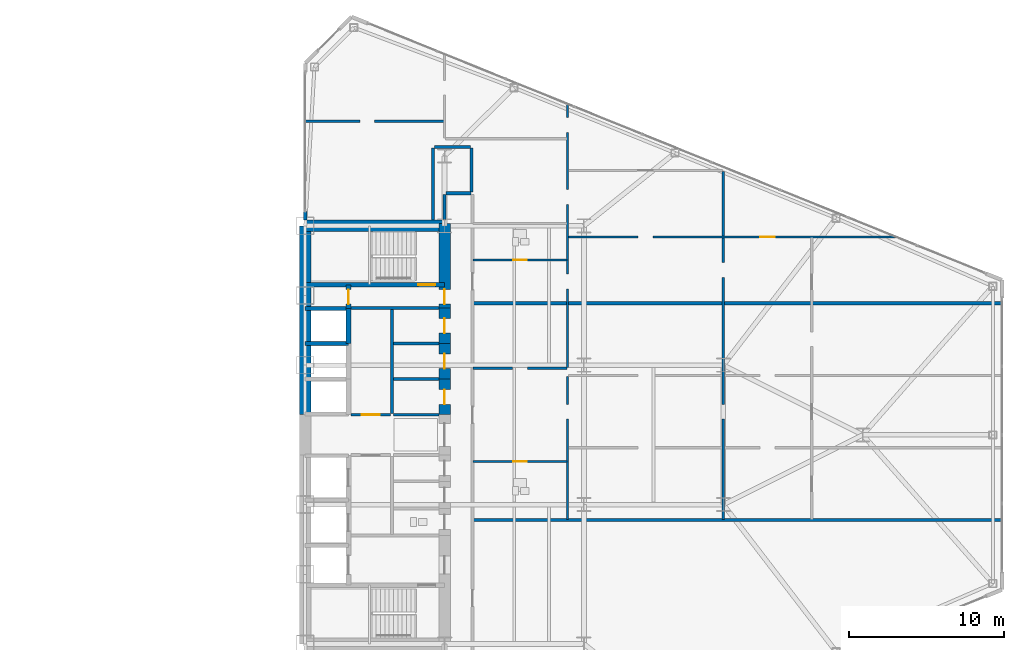
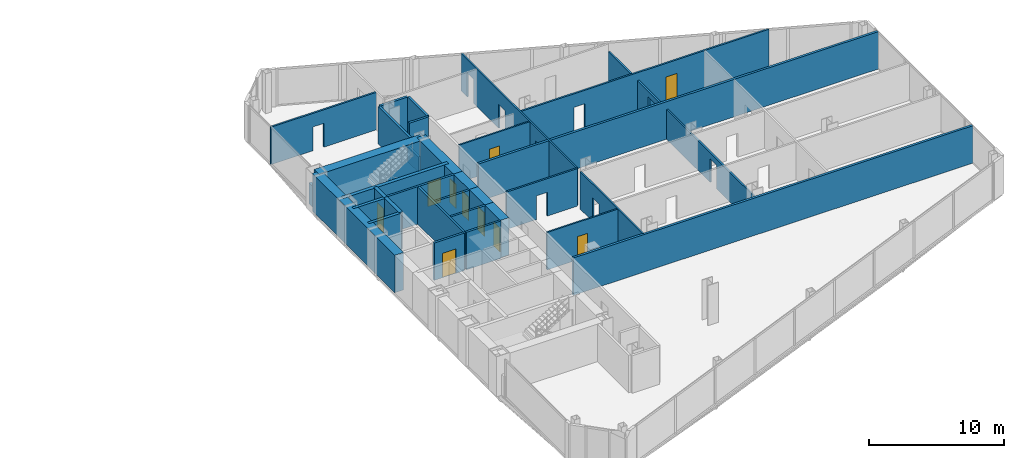
# One storey, part 21 of 25: 33 walls, 10 doors, 19 openings.
"""IFC4 building model written with IfcOpenShell, lengths in metres."""

from ifc_helpers import new_model, si_unit, direction, frame, frame_2d, origin, place, context, subcontext, project, spatial, rectangle, extrude, source, transform, mapped, material, layer, layer_set, type_object, type_shapes, element, fill, save


model = new_model("IFC4")

# Units and contexts
model_context = context("Model", 3, precision=1e-05, world=origin(), true_north=direction((0.0, 1.0)))
body_context = subcontext(model_context, "Body", "Model", "MODEL_VIEW")
ifc_project = project(units=[si_unit("LENGTHUNIT", "METRE"), si_unit("AREAUNIT", "SQUARE_METRE"), si_unit("VOLUMEUNIT", "CUBIC_METRE"), si_unit("PLANEANGLEUNIT", "RADIAN"), si_unit("MASSUNIT", "GRAM", prefix="KILO")], contexts=[model_context])

# Site, building, storey
site_placement = place(None, origin())
site = spatial("IfcSite", under=ifc_project, at=site_placement, CompositionType="ELEMENT")
building_placement = place(site_placement, origin())
building = spatial("IfcBuilding", under=site, at=building_placement, Name="Seokmaru Belvedere", CompositionType="ELEMENT")
storey_placement = place(building_placement, frame((0.0, 0.0, 58.5)))
storey = spatial("IfcBuildingStorey", under=building, at=storey_placement, Name="L15", CompositionType="ELEMENT", Elevation=58.5)

# Wall, opening
ifc_material_1 = material(Name="Fire-Rated Gypsum Shaftwall")
ifc_layer_1 = layer(ifc_material_1, 0.14990234375)
ifc_layer_set_1 = layer_set([ifc_layer_1], Name="Fire-Rated Gypsum Shaftwall")
wall_type_1 = type_object("IfcWallType", Name="Apartment Fire-Acoustic Room Partition 150", PredefinedType="PARTITIONING", material=ifc_layer_set_1)
wall_1_placement = place(storey_placement, frame((38.35009765625, 4.300048828125, 0.0), z_axis=(0.0, 0.0, 1.0), x_axis=(1.0, 0.0, 0.0)))
wall_1 = element("IfcWall", 1, at=wall_1_placement, inside=storey, type_object=wall_type_1, Name="L15 Interior Partition 019", PredefinedType="PARTITIONING", context=body_context, shape_type="SweptSolid", body=[
    extrude(rectangle(XDim=6.0498046875, YDim=0.14990234375, at=frame_2d((3.02490234375, 0.0))), origin(), (0.0, 0.0, 1.0), 3.3798828125),
])
opening_1_placement = place(wall_1_placement, frame((2.550048828125, 0.0, 0.0)))
element("IfcOpeningElement", 2, at=opening_1_placement, cuts=wall_1, Name="L15 Cased Opening 038", PredefinedType="OPENING", context=body_context, shape_type="SweptSolid", body=[
    extrude(rectangle(XDim=0.949951171875, YDim=2.14990234375, at=frame_2d((0.47509765625, 1.074951171875))), frame((0.0, 0.0849609375, 0.0), z_axis=(0.0, -1.0, 0.0), x_axis=(1.0, 0.0, 0.0)), (0.0, 0.0, 1.0), 0.169921875),
])

# Wall, openings, door
wall_2_placement = place(storey_placement, frame((44.5, 12.780029296875, 0.0), z_axis=(0.0, 0.0, 1.0), x_axis=(1.0, 0.0, 0.0)))
wall_2 = element("IfcWall", 3, at=wall_2_placement, inside=storey, type_object=wall_type_1, Name="L15 Interior Partition 027", PredefinedType="PARTITIONING", context=body_context, shape_type="SweptSolid", body=[
    extrude(rectangle(XDim=21.156005859375, YDim=0.14990234375, at=frame_2d((10.578125, 0.0))), origin(), (0.0, 0.0, 1.0), 3.3798828125),
])
opening_2_placement = place(wall_2_placement, frame((4.5, 0.0, 0.0)))
element("IfcOpeningElement", 4, at=opening_2_placement, cuts=wall_2, Name="L15 Cased Opening 052", PredefinedType="OPENING", context=body_context, shape_type="SweptSolid", body=[
    extrude(rectangle(XDim=0.949951171875, YDim=2.14990234375, at=frame_2d((0.47509765625, 1.074951171875))), frame((0.0, 0.0849609375, 0.0), z_axis=(0.0, -1.0, 0.0), x_axis=(1.0, 0.0, 0.0)), (0.0, 0.0, 1.0), 0.169921875),
])
opening_3_placement = place(wall_2_placement, frame((12.375, 0.0, 0.0)))
opening_3 = element("IfcOpeningElement", 5, at=opening_3_placement, cuts=wall_2, Name="Opening D05", PredefinedType="OPENING", context=body_context, shape_type="SweptSolid", body=[
    extrude(rectangle(XDim=0.949951171875, YDim=2.14990234375, at=frame_2d((0.47509765625, 1.074951171875))), frame((0.0, 0.0849609375, 0.0), z_axis=(0.0, -1.0, 0.0), x_axis=(1.0, 0.0, 0.0)), (0.0, 0.0, 1.0), 0.169921875),
])
ifc_material_2 = material(Name="Engineered White Oak Timber", Category="wood")
door_type_1 = type_object("IfcDoorType", Name="Apartment Interior Fire-Rated Oak Door 950x2150", OperationType="NOTDEFINED", PredefinedType="DOOR", material=ifc_material_2)
shared_shape_1 = source(origin(), body_context, "Body", "SweptSolid", [
    extrude(rectangle(XDim=0.949951171875, YDim=2.14990234375, at=frame_2d((0.47509765625, 1.074951171875))), frame((0.0, 0.02490234375, 0.0), z_axis=(0.0, -1.0, 0.0), x_axis=(1.0, 0.0, 0.0)), (0.0, 0.0, 1.0), 0.050048828125),
])
type_shapes(door_type_1, [shared_shape_1])
door_1_placement = place(opening_3_placement, origin())
door_1 = element("IfcDoor", 6, at=door_1_placement, inside=storey, type_object=door_type_1, Name="L15 Interior Door 055", OperationType="SINGLE_SWING_LEFT", OverallHeight=2.14990234375, OverallWidth=0.949951171875, PredefinedType="DOOR", context=body_context, shape_type="MappedRepresentation", body=[
    mapped(shared_shape_1, transform((0.0, 0.0, 0.0), scale=1.0)),
])
fill(opening_3, door_1)

# Wall, opening
wall_3_placement = place(storey_placement, frame((27.465087890625, 20.25, 0.0), z_axis=(0.0, 0.0, 1.0), x_axis=(1.0, 0.0, 0.0)))
wall_3 = element("IfcWall", 7, at=wall_3_placement, inside=storey, type_object=wall_type_1, Name="L15 Interior Partition 035", PredefinedType="PARTITIONING", context=body_context, shape_type="SweptSolid", body=[
    extrude(rectangle(XDim=8.98486328125, YDim=0.14990234375, at=frame_2d((4.492431640625, 0.0))), origin(), (0.0, 0.0, 1.0), 3.3798828125),
])
opening_4_placement = place(wall_3_placement, frame((3.572509765625, 0.0, 0.0)))
element("IfcOpeningElement", 8, at=opening_4_placement, cuts=wall_3, Name="L15 Cased Opening 059", PredefinedType="OPENING", context=body_context, shape_type="SweptSolid", body=[
    extrude(rectangle(XDim=0.949951171875, YDim=2.14990234375, at=frame_2d((0.47509765625, 1.074951171875))), frame((0.0, 0.0849609375, 0.0), z_axis=(0.0, -1.0, 0.0), x_axis=(1.0, 0.0, 0.0)), (0.0, 0.0, 1.0), 0.169921875),
])

# Wall, openings
wall_4_placement = place(storey_placement, frame((54.5, -5.449951171875, 0.0), z_axis=(0.0, 0.0, 1.0), x_axis=(0.0, 1.0, 0.0)))
wall_4 = element("IfcWall", 9, at=wall_4_placement, inside=storey, type_object=wall_type_1, Name="L15 Interior Partition 063", PredefinedType="PARTITIONING", context=body_context, shape_type="SweptSolid", body=[
    extrude(rectangle(XDim=22.468994140625, YDim=0.14990234375, at=frame_2d((11.234375, 0.0))), origin(), (0.0, 0.0, 1.0), 2.679931640625),
])
opening_5_placement = place(wall_4_placement, frame((6.47509765625, 0.0, 0.0)))
element("IfcOpeningElement", 10, at=opening_5_placement, cuts=wall_4, Name="L15 Cased Opening 040", PredefinedType="OPENING", context=body_context, shape_type="SweptSolid", body=[
    extrude(rectangle(XDim=0.949951171875, YDim=2.14990234375, at=frame_2d((0.47509765625, 1.074951171875))), frame((0.0, 0.0849609375, 0.0), z_axis=(0.0, -1.0, 0.0), x_axis=(1.0, 0.0, 0.0)), (0.0, 0.0, 1.0), 0.169921875),
])
opening_6_placement = place(wall_4_placement, frame((15.6171875, 0.0, 0.0)))
element("IfcOpeningElement", 11, at=opening_6_placement, cuts=wall_4, Name="L15 Cased Opening 051", PredefinedType="OPENING", context=body_context, shape_type="SweptSolid", body=[
    extrude(rectangle(XDim=0.949951171875, YDim=2.14990234375, at=frame_2d((0.47509765625, 1.074951171875))), frame((0.0, 0.0849609375, 0.0), z_axis=(0.0, -1.0, 0.0), x_axis=(1.0, 0.0, 0.0)), (0.0, 0.0, 1.0), 0.169921875),
])

# Walls
ifc_layer_2 = layer(ifc_material_1, 0.179931640625)
ifc_layer_set_2 = layer_set([ifc_layer_2], Name="Fire-Rated Gypsum Shaftwall")
wall_type_2 = type_object("IfcWallType", Name="Core Service Fire Partition 180", PredefinedType="PARTITIONING", material=ifc_layer_set_2)
wall_5_placement = place(storey_placement, frame((30.449951171875, 8.199951171875, 0.0), z_axis=(0.0, 0.0, 1.0), x_axis=(1.0, 0.0, 0.0)))
element("IfcWall", 12, at=wall_5_placement, inside=storey, type_object=wall_type_2, Name="L15 East Smokeproof Vestibule Partition", PredefinedType="PARTITIONING", context=body_context, shape_type="SweptSolid", body=[
    extrude(rectangle(XDim=5.699951171875, YDim=0.179931640625, at=frame_2d((2.85009765625, 0.0))), origin(), (0.0, 0.0, 1.0), 3.3798828125),
])
wall_6_placement = place(storey_placement, frame((33.10009765625, 1.3798828125, 0.0), z_axis=(0.0, 0.0, 1.0), x_axis=(0.0, 1.0, 0.0)))
element("IfcWall", 13, at=wall_6_placement, inside=storey, type_object=wall_type_2, Name="L15 East North Core Service Back Wall", PredefinedType="PARTITIONING", context=body_context, shape_type="SweptSolid", body=[
    extrude(rectangle(XDim=6.740234375, YDim=0.179931640625, at=frame_2d((3.3701171875, 0.0))), origin(), (0.0, 0.0, 1.0), 3.3798828125),
])

# Wall, opening, door
wall_7_placement = place(storey_placement, frame((30.449951171875, 1.300048828125, 0.0), z_axis=(0.0, 0.0, 1.0), x_axis=(1.0, 0.0, 0.0)))
wall_7 = element("IfcWall", 14, at=wall_7_placement, inside=storey, type_object=wall_type_2, Name="L15 East North Lift Lobby Foyer Wall", PredefinedType="PARTITIONING", context=body_context, shape_type="SweptSolid", body=[
    extrude(rectangle(XDim=2.570068359375, YDim=0.179931640625, at=frame_2d((1.28515625, 0.0))), origin(), (0.0, 0.0, 1.0), 3.3798828125),
])
opening_7_placement = place(wall_7_placement, frame((0.7099609375, 0.0, 0.0)))
opening_7 = element("IfcOpeningElement", 15, at=opening_7_placement, cuts=wall_7, Name="Opening D02", PredefinedType="OPENING", context=body_context, shape_type="SweptSolid", body=[
    extrude(rectangle(XDim=1.14990234375, YDim=2.199951171875, at=frame_2d((0.574951171875, 1.10009765625))), frame((0.0, 0.10009765625, 0.0), z_axis=(0.0, -1.0, 0.0), x_axis=(1.0, 0.0, 0.0)), (0.0, 0.0, 1.0), 0.199951171875),
])
ifc_material_3 = material(Name="Fire-Rated Steel Leaf", Category="steel")
door_type_2 = type_object("IfcDoorType", Name="Lobby and Vestibule Fire Door 1150x2200", OperationType="NOTDEFINED", PredefinedType="DOOR", material=ifc_material_3)
shared_shape_2 = source(origin(), body_context, "Body", "SweptSolid", [
    extrude(rectangle(XDim=1.14990234375, YDim=2.199951171875, at=frame_2d((0.574951171875, 1.10009765625))), frame((0.0, 0.02490234375, 0.0), z_axis=(0.0, -1.0, 0.0), x_axis=(1.0, 0.0, 0.0)), (0.0, 0.0, 1.0), 0.050048828125),
])
type_shapes(door_type_2, [shared_shape_2])
door_2_placement = place(opening_7_placement, origin())
door_2 = element("IfcDoor", 16, at=door_2_placement, inside=storey, type_object=door_type_2, Name="L15 East North Lift Lobby Door", OperationType="SINGLE_SWING_LEFT", OverallHeight=2.199951171875, OverallWidth=1.14990234375, PredefinedType="DOOR", context=body_context, shape_type="MappedRepresentation", body=[
    mapped(shared_shape_2, transform((0.0, 0.0, 0.0), scale=1.0)),
])
fill(opening_7, door_2)

# Walls
for number, where, z_axis, x_axis, name in (
    (17, (33.199951171875, 1.300048828125, 0.0), (0.0, 0.0, 1.0), (1.0, 0.0, 0.0), "L15 East Foyer Side Wall N"),
    (18, (33.199951171875, 3.60009765625, 0.0), (0.0, 0.0, 1.0), (1.0, 0.0, 0.0), "L15 East Core Service Partition 3"),
    (19, (33.199951171875, 5.89990234375, 0.0), (0.0, 0.0, 1.0), (1.0, 0.0, 0.0), "L15 East Core Service Partition 4"),
):
    element("IfcWall", number, at=place(storey_placement, frame(where, z_axis=z_axis, x_axis=x_axis)), inside=storey, type_object=wall_type_2, Name=name, PredefinedType="PARTITIONING", context=body_context, shape_type="SweptSolid", body=[
        extrude(rectangle(XDim=2.949951171875, YDim=0.179931640625, at=frame_2d((1.47509765625, 0.0))), origin(), (0.0, 0.0, 1.0), 3.3798828125),
    ])
ifc_material_4 = material(Name="Concrete C50 (50 MPa)", Category="concrete")
ifc_layer_3 = layer(ifc_material_4, 0.25)
ifc_layer_set_3 = layer_set([ifc_layer_3], Name="Concrete C50 (50 MPa)")
wall_type_3 = type_object("IfcWallType", Name="Hoistway Transverse Concrete Divider Wall 250", PredefinedType="SHEAR", material=ifc_layer_set_3)
for number, where, z_axis, x_axis, name in (
    (20, (27.5, 5.89990234375, 0.0), (0.0, 0.0, 1.0), (1.0, 0.0, 0.0), "L15 East Hoistway Divider Core Wall 6"),
    (21, (27.5, 8.14990234375, 0.0), (0.0, 0.0, 1.0), (1.0, 0.0, 0.0), "L15 East Hoistway Divider Core Wall 7"),
):
    element("IfcWall", number, at=place(storey_placement, frame(where, z_axis=z_axis, x_axis=x_axis)), inside=storey, type_object=wall_type_3, Name=name, PredefinedType="SHEAR", context=body_context, shape_type="SweptSolid", body=[
        extrude(rectangle(XDim=2.800048828125, YDim=0.25, at=frame_2d((1.39990234375, 0.0))), origin(), (0.0, 0.0, 1.0), 3.3798828125),
    ])
ifc_layer_4 = layer(ifc_material_1, 0.199951171875)
ifc_layer_set_4 = layer_set([ifc_layer_4], Name="Fire-Rated Gypsum Shaftwall")
wall_type_4 = type_object("IfcWallType", Name="Inter-Tenancy Fire Compartment Partition 200", PredefinedType="PARTITIONING", material=ifc_layer_set_4)
for number, where, z_axis, x_axis, name in (
    (22, (38.3798828125, -5.5, 0.0), (0.0, 0.0, 1.0), (1.0, 0.0, 0.0), "L15 Interior Partition 012"),
    (23, (38.3798828125, 8.5, 0.0), (0.0, 0.0, 1.0), (1.0, 0.0, 0.0), "L15 Interior Partition 022"),
):
    element("IfcWall", number, at=place(storey_placement, frame(where, z_axis=z_axis, x_axis=x_axis)), inside=storey, type_object=wall_type_4, Name=name, PredefinedType="PARTITIONING", context=body_context, shape_type="SweptSolid", body=[
        extrude(rectangle(XDim=34.125, YDim=0.199951171875, at=frame_2d((17.0625, 0.0))), origin(), (0.0, 0.0, 1.0), 3.3798828125),
    ])
wall_8_placement = place(storey_placement, frame((36.5849609375, 15.60009765625, 0.0), z_axis=(0.0, 0.0, 1.0), x_axis=(1.0, 0.0, 0.0)))
element("IfcWall", 24, at=wall_8_placement, inside=storey, type_object=wall_type_4, Name="L15 Interior Partition 030", PredefinedType="PARTITIONING", context=body_context, shape_type="SweptSolid", body=[
    extrude(rectangle(XDim=1.630126953125, YDim=0.199951171875, at=frame_2d((0.81494140625, 0.0))), origin(), (0.0, 0.0, 1.0), 3.3798828125),
])
wall_9_placement = place(storey_placement, frame((35.8349609375, 18.60009765625, 0.0), z_axis=(0.0, 0.0, 1.0), x_axis=(1.0, 0.0, 0.0)))
element("IfcWall", 25, at=wall_9_placement, inside=storey, type_object=wall_type_4, Name="L15 Interior Partition 033", PredefinedType="PARTITIONING", context=body_context, shape_type="SweptSolid", body=[
    extrude(rectangle(XDim=2.330078125, YDim=0.199951171875, at=frame_2d((1.1650390625, 0.0))), origin(), (0.0, 0.0, 1.0), 3.3798828125),
])
wall_10_placement = place(storey_placement, frame((35.75, 13.8798828125, 0.0), z_axis=(0.0, 0.0, 1.0), x_axis=(0.0, 1.0, 0.0)))
element("IfcWall", 26, at=wall_10_placement, inside=storey, type_object=wall_type_4, Name="L15 Interior Partition 054", PredefinedType="PARTITIONING", context=body_context, shape_type="SweptSolid", body=[
    extrude(rectangle(XDim=4.635009765625, YDim=0.199951171875, at=frame_2d((2.3173828125, 0.0))), origin(), (0.0, 0.0, 1.0), 3.3798828125),
])
wall_11_placement = place(storey_placement, frame((36.5, 13.8798828125, 0.0), z_axis=(0.0, 0.0, 1.0), x_axis=(0.0, 1.0, 0.0)))
element("IfcWall", 27, at=wall_11_placement, inside=storey, type_object=wall_type_4, Name="L15 Interior Partition 056", PredefinedType="PARTITIONING", context=body_context, shape_type="SweptSolid", body=[
    extrude(rectangle(XDim=1.635009765625, YDim=0.199951171875, at=frame_2d((0.8173828125, 0.0))), origin(), (0.0, 0.0, 1.0), 1.3798828125),
])
wall_12_placement = place(storey_placement, frame((38.25, 15.68505859375, 0.0), z_axis=(0.0, 0.0, 1.0), x_axis=(0.0, 1.0, 0.0)))
element("IfcWall", 28, at=wall_12_placement, inside=storey, type_object=wall_type_4, Name="L15 Interior Partition 059", PredefinedType="PARTITIONING", context=body_context, shape_type="SweptSolid", body=[
    extrude(rectangle(XDim=2.829833984375, YDim=0.199951171875, at=frame_2d((1.4150390625, 0.0))), origin(), (0.0, 0.0, 1.0), 3.3798828125),
])

# Wall, opening, door
ifc_layer_5 = layer(ifc_material_4, 0.300048828125)
ifc_layer_set_5 = layer_set([ifc_layer_5], Name="Concrete C50 (50 MPa)")
wall_type_5 = type_object("IfcWallType", Name="Internal Core Stair and Hoistway Wall 300", PredefinedType="SHEAR", material=ifc_layer_set_5)
wall_13_placement = place(storey_placement, frame((27.5, 9.699951171875, 0.0), z_axis=(0.0, 0.0, 1.0), x_axis=(1.0, 0.0, 0.0)))
wall_13 = element("IfcWall", 29, at=wall_13_placement, inside=storey, type_object=wall_type_5, Name="L15 East Stair ST-2 Enclosure Wall", PredefinedType="SHEAR", context=body_context, shape_type="SweptSolid", body=[
    extrude(rectangle(XDim=9.0, YDim=0.300048828125, at=frame_2d((4.5, 0.0))), origin(), (0.0, 0.0, 1.0), 3.3798828125),
])
opening_8_placement = place(wall_13_placement, frame((7.300048828125, 0.0, 0.0)))
opening_8 = element("IfcOpeningElement", 30, at=opening_8_placement, cuts=wall_13, Name="Opening D01", PredefinedType="OPENING", context=body_context, shape_type="SweptSolid", body=[
    extrude(rectangle(XDim=1.10009765625, YDim=2.199951171875, at=frame_2d((0.550048828125, 1.10009765625))), frame((0.0, 0.16015625, 0.0), z_axis=(0.0, -1.0, 0.0), x_axis=(1.0, 0.0, 0.0)), (0.0, 0.0, 1.0), 0.320068359375),
])
door_type_3 = type_object("IfcDoorType", Name="Special Escape Stair Smokeproof Fire Door 1100x2200", OperationType="NOTDEFINED", PredefinedType="DOOR", material=ifc_material_3)
shared_shape_3 = source(origin(), body_context, "Body", "SweptSolid", [
    extrude(rectangle(XDim=1.10009765625, YDim=2.199951171875, at=frame_2d((0.550048828125, 1.10009765625))), frame((0.0, 0.02490234375, 0.0), z_axis=(0.0, -1.0, 0.0), x_axis=(1.0, 0.0, 0.0)), (0.0, 0.0, 1.0), 0.050048828125),
])
type_shapes(door_type_3, [shared_shape_3])
door_3_placement = place(opening_8_placement, origin())
door_3 = element("IfcDoor", 31, at=door_3_placement, inside=storey, type_object=door_type_3, Name="L15 East Special Escape Stair ST-2 Door", OperationType="SINGLE_SWING_LEFT", OverallHeight=2.199951171875, OverallWidth=1.10009765625, PredefinedType="DOOR", context=body_context, shape_type="MappedRepresentation", body=[
    mapped(shared_shape_3, transform((0.0, 0.0, 0.0), scale=1.0)),
])
fill(opening_8, door_3)

# Wall
wall_14_placement = place(storey_placement, frame((30.300048828125, 5.89990234375, 0.0), z_axis=(0.0, 0.0, 1.0), x_axis=(0.0, 1.0, 0.0)))
element("IfcWall", 32, at=wall_14_placement, inside=storey, type_object=wall_type_5, Name="L15 East North Hoistway Wall OBS", PredefinedType="SHEAR", context=body_context, shape_type="SweptSolid", body=[
    extrude(rectangle(XDim=2.25, YDim=0.300048828125, at=frame_2d((1.125, 0.0))), origin(), (0.0, 0.0, 1.0), 3.3798828125),
])

# Wall, opening, door
wall_15_placement = place(storey_placement, frame((30.300048828125, 8.14990234375, 0.0), z_axis=(0.0, 0.0, 1.0), x_axis=(0.0, 1.0, 0.0)))
wall_15 = element("IfcWall", 33, at=wall_15_placement, inside=storey, type_object=wall_type_5, Name="L15 East Electrical Riser Front Wall", PredefinedType="SHEAR", context=body_context, shape_type="SweptSolid", body=[
    extrude(rectangle(XDim=1.530029296875, YDim=0.300048828125, at=frame_2d((0.76513671875, 0.0))), origin(), (0.0, 0.0, 1.0), 3.3798828125),
])
opening_9_placement = place(wall_15_placement, frame((0.284912109375, 0.0, 0.0)))
opening_9 = element("IfcOpeningElement", 34, at=opening_9_placement, cuts=wall_15, Name="Opening D04", PredefinedType="OPENING", context=body_context, shape_type="SweptSolid", body=[
    extrude(rectangle(XDim=0.949951171875, YDim=2.14990234375, at=frame_2d((0.47509765625, 1.074951171875))), frame((0.0, 0.16015625, 0.0), z_axis=(0.0, -1.0, 0.0), x_axis=(1.0, 0.0, 0.0)), (0.0, 0.0, 1.0), 0.320068359375),
])
door_type_4 = type_object("IfcDoorType", Name="Core Service Room Fire Door 950x2150", OperationType="NOTDEFINED", PredefinedType="DOOR", material=ifc_material_3)
shared_shape_4 = source(origin(), body_context, "Body", "SweptSolid", [
    extrude(rectangle(XDim=0.949951171875, YDim=2.14990234375, at=frame_2d((0.47509765625, 1.074951171875))), frame((0.0, 0.02490234375, 0.0), z_axis=(0.0, -1.0, 0.0), x_axis=(1.0, 0.0, 0.0)), (0.0, 0.0, 1.0), 0.050048828125),
])
type_shapes(door_type_4, [shared_shape_4])
door_4_placement = place(opening_9_placement, origin())
door_4 = element("IfcDoor", 35, at=door_4_placement, inside=storey, type_object=door_type_4, Name="L15 East Electrical Riser Access Door", OperationType="SINGLE_SWING_RIGHT", OverallHeight=2.14990234375, OverallWidth=0.949951171875, PredefinedType="DOOR", context=body_context, shape_type="MappedRepresentation", body=[
    mapped(shared_shape_4, transform((0.0, 0.0, 0.0), scale=1.0)),
])
fill(opening_9, door_4)

# Walls
ifc_material_5 = material(Name="Concrete C60 (60 MPa)", Category="concrete")
ifc_layer_6 = layer(ifc_material_5, 0.75)
ifc_layer_set_6 = layer_set([ifc_layer_6], Name="Concrete C60 (60 MPa)")
wall_type_6 = type_object("IfcWallType", Name="Lower Tower Reinforced Concrete Core Wall 750", PredefinedType="SHEAR", material=ifc_layer_set_6)
wall_16_placement = place(storey_placement, frame((27.5, 1.300048828125, 0.0), z_axis=(0.0, 0.0, 1.0), x_axis=(0.0, 1.0, 0.0)))
element("IfcWall", 36, at=wall_16_placement, inside=storey, type_object=wall_type_6, Name="L15 East Portal Spine Core Wall North", PredefinedType="SHEAR", context=body_context, shape_type="SweptSolid", body=[
    extrude(rectangle(XDim=12.199951171875, YDim=0.75, at=frame_2d((6.10009765625, 0.0))), origin(), (0.0, 0.0, 1.0), 3.3798828125),
])
wall_17_placement = place(storey_placement, frame((27.5, 13.5, 0.0), z_axis=(0.0, 0.0, 1.0), x_axis=(1.0, 0.0, 0.0)))
element("IfcWall", 37, at=wall_17_placement, inside=storey, type_object=wall_type_6, Name="L15 East North Core Wall", PredefinedType="SHEAR", context=body_context, shape_type="SweptSolid", body=[
    extrude(rectangle(XDim=9.0, YDim=0.75, at=frame_2d((4.5, 0.0))), origin(), (0.0, 0.0, 1.0), 3.3798828125),
])

# Wall, opening, door
wall_18_placement = place(storey_placement, frame((36.5, 8.199951171875, 0.0), z_axis=(0.0, 0.0, 1.0), x_axis=(0.0, 1.0, 0.0)))
wall_18 = element("IfcWall", 38, at=wall_18_placement, inside=storey, type_object=wall_type_6, Name="L15 East West Core Wall VST", PredefinedType="SHEAR", context=body_context, shape_type="SweptSolid", body=[
    extrude(rectangle(XDim=5.449951171875, YDim=0.75, at=frame_2d((2.72509765625, 0.0))), origin(), (0.0, 0.0, 1.0), 3.3798828125),
])
opening_10_placement = place(wall_18_placement, frame((0.2451171875, 0.0, 0.0)))
opening_10 = element("IfcOpeningElement", 39, at=opening_10_placement, cuts=wall_18, Name="Opening D04", PredefinedType="OPENING", context=body_context, shape_type="SweptSolid", body=[
    extrude(rectangle(XDim=0.949951171875, YDim=2.14990234375, at=frame_2d((0.47509765625, 1.074951171875))), frame((0.0, 0.385009765625, 0.0), z_axis=(0.0, -1.0, 0.0), x_axis=(1.0, 0.0, 0.0)), (0.0, 0.0, 1.0), 0.77001953125),
])
door_5_placement = place(opening_10_placement, origin())
door_5 = element("IfcDoor", 40, at=door_5_placement, inside=storey, type_object=door_type_4, Name="L15 East Smokeproof Vestibule Door", OperationType="SINGLE_SWING_LEFT", OverallHeight=2.14990234375, OverallWidth=0.949951171875, PredefinedType="DOOR", context=body_context, shape_type="MappedRepresentation", body=[
    mapped(shared_shape_4, transform((0.0, 0.0, 0.0), scale=1.0)),
])
fill(opening_10, door_5)

wall_19_placement = place(storey_placement, frame((36.5, 1.300048828125, 0.0), z_axis=(0.0, 0.0, 1.0), x_axis=(0.0, 1.0, 0.0)))
wall_19 = element("IfcWall", 41, at=wall_19_placement, inside=storey, type_object=wall_type_6, Name="L15 East West Core Wall CS4", PredefinedType="SHEAR", context=body_context, shape_type="SweptSolid", body=[
    extrude(rectangle(XDim=2.300048828125, YDim=0.75, at=frame_2d((1.14990234375, 0.0))), origin(), (0.0, 0.0, 1.0), 3.3798828125),
])
opening_11_placement = place(wall_19_placement, frame((0.675048828125, 0.0, 0.0)))
opening_11 = element("IfcOpeningElement", 42, at=opening_11_placement, cuts=wall_19, Name="Opening D04", PredefinedType="OPENING", context=body_context, shape_type="SweptSolid", body=[
    extrude(rectangle(XDim=0.949951171875, YDim=2.14990234375, at=frame_2d((0.47509765625, 1.074951171875))), frame((0.0, 0.385009765625, 0.0), z_axis=(0.0, -1.0, 0.0), x_axis=(1.0, 0.0, 0.0)), (0.0, 0.0, 1.0), 0.77001953125),
])
door_6_placement = place(opening_11_placement, origin())
door_6 = element("IfcDoor", 43, at=door_6_placement, inside=storey, type_object=door_type_4, Name="L15 East Core Service Room Door 4", OperationType="SINGLE_SWING_LEFT", OverallHeight=2.14990234375, OverallWidth=0.949951171875, PredefinedType="DOOR", context=body_context, shape_type="MappedRepresentation", body=[
    mapped(shared_shape_4, transform((0.0, 0.0, 0.0), scale=1.0)),
])
fill(opening_11, door_6)

wall_20_placement = place(storey_placement, frame((36.5, 3.60009765625, 0.0), z_axis=(0.0, 0.0, 1.0), x_axis=(0.0, 1.0, 0.0)))
wall_20 = element("IfcWall", 44, at=wall_20_placement, inside=storey, type_object=wall_type_6, Name="L15 East West Core Wall CS5", PredefinedType="SHEAR", context=body_context, shape_type="SweptSolid", body=[
    extrude(rectangle(XDim=2.2998046875, YDim=0.75, at=frame_2d((1.14990234375, 0.0))), origin(), (0.0, 0.0, 1.0), 3.3798828125),
])
opening_12_placement = place(wall_20_placement, frame((0.675048828125, 0.0, 0.0)))
opening_12 = element("IfcOpeningElement", 45, at=opening_12_placement, cuts=wall_20, Name="Opening D04", PredefinedType="OPENING", context=body_context, shape_type="SweptSolid", body=[
    extrude(rectangle(XDim=0.949951171875, YDim=2.14990234375, at=frame_2d((0.47509765625, 1.074951171875))), frame((0.0, 0.385009765625, 0.0), z_axis=(0.0, -1.0, 0.0), x_axis=(1.0, 0.0, 0.0)), (0.0, 0.0, 1.0), 0.77001953125),
])
door_7_placement = place(opening_12_placement, origin())
door_7 = element("IfcDoor", 46, at=door_7_placement, inside=storey, type_object=door_type_4, Name="L15 East Core Service Room Door 5", OperationType="SINGLE_SWING_RIGHT", OverallHeight=2.14990234375, OverallWidth=0.949951171875, PredefinedType="DOOR", context=body_context, shape_type="MappedRepresentation", body=[
    mapped(shared_shape_4, transform((0.0, 0.0, 0.0), scale=1.0)),
])
fill(opening_12, door_7)

wall_21_placement = place(storey_placement, frame((36.5, 5.89990234375, 0.0), z_axis=(0.0, 0.0, 1.0), x_axis=(0.0, 1.0, 0.0)))
wall_21 = element("IfcWall", 47, at=wall_21_placement, inside=storey, type_object=wall_type_6, Name="L15 East West Core Wall CS6", PredefinedType="SHEAR", context=body_context, shape_type="SweptSolid", body=[
    extrude(rectangle(XDim=2.300048828125, YDim=0.75, at=frame_2d((1.14990234375, 0.0))), origin(), (0.0, 0.0, 1.0), 3.3798828125),
])
opening_13_placement = place(wall_21_placement, frame((0.675048828125, 0.0, 0.0)))
opening_13 = element("IfcOpeningElement", 48, at=opening_13_placement, cuts=wall_21, Name="Opening D04", PredefinedType="OPENING", context=body_context, shape_type="SweptSolid", body=[
    extrude(rectangle(XDim=0.949951171875, YDim=2.14990234375, at=frame_2d((0.47509765625, 1.074951171875))), frame((0.0, 0.385009765625, 0.0), z_axis=(0.0, -1.0, 0.0), x_axis=(1.0, 0.0, 0.0)), (0.0, 0.0, 1.0), 0.77001953125),
])
door_8_placement = place(opening_13_placement, origin())
door_8 = element("IfcDoor", 49, at=door_8_placement, inside=storey, type_object=door_type_4, Name="L15 East Core Service Room Door 6", OperationType="SINGLE_SWING_LEFT", OverallHeight=2.14990234375, OverallWidth=0.949951171875, PredefinedType="DOOR", context=body_context, shape_type="MappedRepresentation", body=[
    mapped(shared_shape_4, transform((0.0, 0.0, 0.0), scale=1.0)),
])
fill(opening_13, door_8)

ifc_layer_7 = layer(ifc_material_1, 0.1298828125)
ifc_layer_set_7 = layer_set([ifc_layer_7], Name="Fire-Rated Gypsum Shaftwall")
wall_type_7 = type_object("IfcWallType", Name="Moisture-Resistant Fire-Rated Bathroom Partition 130", PredefinedType="PARTITIONING", material=ifc_layer_set_7)
wall_22_placement = place(storey_placement, frame((38.35009765625, -1.719970703125, 0.0), z_axis=(0.0, 0.0, 1.0), x_axis=(1.0, 0.0, 0.0)))
wall_22 = element("IfcWall", 50, at=wall_22_placement, inside=storey, type_object=wall_type_7, Name="L15 Interior Partition 015", PredefinedType="PARTITIONING", context=body_context, shape_type="SweptSolid", body=[
    extrude(rectangle(XDim=6.0498046875, YDim=0.1298828125, at=frame_2d((3.02490234375, 0.0))), origin(), (0.0, 0.0, 1.0), 3.3798828125),
])
opening_14_placement = place(wall_22_placement, frame((2.5849609375, 0.0, 0.0)))
opening_14 = element("IfcOpeningElement", 51, at=opening_14_placement, cuts=wall_22, Name="Opening D06", PredefinedType="OPENING", context=body_context, shape_type="SweptSolid", body=[
    extrude(rectangle(XDim=0.8798828125, YDim=2.10009765625, at=frame_2d((0.43994140625, 1.050048828125))), frame((0.0, 0.074951171875, 0.0), z_axis=(0.0, -1.0, 0.0), x_axis=(1.0, 0.0, 0.0)), (0.0, 0.0, 1.0), 0.14990234375),
])
door_type_5 = type_object("IfcDoorType", Name="Bathroom and Restroom Fire-Rated Door 880x2100", OperationType="NOTDEFINED", PredefinedType="DOOR", material=ifc_material_2)
shared_shape_5 = source(origin(), body_context, "Body", "SweptSolid", [
    extrude(rectangle(XDim=0.8798828125, YDim=2.10009765625, at=frame_2d((0.43994140625, 1.050048828125))), frame((0.0, 0.02490234375, 0.0), z_axis=(0.0, -1.0, 0.0), x_axis=(1.0, 0.0, 0.0)), (0.0, 0.0, 1.0), 0.050048828125),
])
type_shapes(door_type_5, [shared_shape_5])
door_9_placement = place(opening_14_placement, origin())
door_9 = element("IfcDoor", 52, at=door_9_placement, inside=storey, type_object=door_type_5, Name="L15 Interior Door 037", OperationType="SINGLE_SWING_RIGHT", OverallHeight=2.10009765625, OverallWidth=0.8798828125, PredefinedType="DOOR", context=body_context, shape_type="MappedRepresentation", body=[
    mapped(shared_shape_5, transform((0.0, 0.0, 0.0), scale=1.0)),
])
fill(opening_14, door_9)

wall_23_placement = place(storey_placement, frame((38.35009765625, 11.2900390625, 0.0), z_axis=(0.0, 0.0, 1.0), x_axis=(1.0, 0.0, 0.0)))
wall_23 = element("IfcWall", 53, at=wall_23_placement, inside=storey, type_object=wall_type_7, Name="L15 Interior Partition 025", PredefinedType="PARTITIONING", context=body_context, shape_type="SweptSolid", body=[
    extrude(rectangle(XDim=6.0498046875, YDim=0.1298828125, at=frame_2d((3.02490234375, 0.0))), origin(), (0.0, 0.0, 1.0), 3.3798828125),
])
opening_15_placement = place(wall_23_placement, frame((2.5849609375, 0.0, 0.0)))
opening_15 = element("IfcOpeningElement", 54, at=opening_15_placement, cuts=wall_23, Name="Opening D06", PredefinedType="OPENING", context=body_context, shape_type="SweptSolid", body=[
    extrude(rectangle(XDim=0.8798828125, YDim=2.10009765625, at=frame_2d((0.43994140625, 1.050048828125))), frame((0.0, 0.074951171875, 0.0), z_axis=(0.0, -1.0, 0.0), x_axis=(1.0, 0.0, 0.0)), (0.0, 0.0, 1.0), 0.14990234375),
])
door_10_placement = place(opening_15_placement, origin())
door_10 = element("IfcDoor", 55, at=door_10_placement, inside=storey, type_object=door_type_5, Name="L15 Interior Door 049", OperationType="SINGLE_SWING_RIGHT", OverallHeight=2.10009765625, OverallWidth=0.8798828125, PredefinedType="DOOR", context=body_context, shape_type="MappedRepresentation", body=[
    mapped(shared_shape_5, transform((0.0, 0.0, 0.0), scale=1.0)),
])
fill(opening_15, door_10)

# Wall, opening
wall_24_placement = place(storey_placement, frame((44.449951171875, -5.449951171875, 0.0), z_axis=(0.0, 0.0, 1.0), x_axis=(0.0, 1.0, 0.0)))
wall_24 = element("IfcWall", 56, at=wall_24_placement, inside=storey, type_object=wall_type_7, Name="L15 Interior Partition 061", PredefinedType="PARTITIONING", context=body_context, shape_type="SweptSolid", body=[
    extrude(rectangle(XDim=9.23291015625, YDim=0.1298828125, at=frame_2d((4.616455078125, 0.0))), origin(), (0.0, 0.0, 1.0), 3.3798828125),
])
opening_16_placement = place(wall_24_placement, frame((6.47509765625, 0.0, 0.0)))
element("IfcOpeningElement", 57, at=opening_16_placement, cuts=wall_24, Name="L15 Cased Opening 039", PredefinedType="OPENING", context=body_context, shape_type="SweptSolid", body=[
    extrude(rectangle(XDim=0.949951171875, YDim=2.14990234375, at=frame_2d((0.47509765625, 1.074951171875))), frame((0.0, 0.074951171875, 0.0), z_axis=(0.0, -1.0, 0.0), x_axis=(1.0, 0.0, 0.0)), (0.0, 0.0, 1.0), 0.14990234375),
])

# Wall, openings
wall_25_placement = place(storey_placement, frame((44.449951171875, 4.35205078125, 0.0), z_axis=(0.0, 0.0, 1.0), x_axis=(0.0, 1.0, 0.0)))
wall_25 = element("IfcWall", 58, at=wall_25_placement, inside=storey, type_object=wall_type_7, Name="L15 Interior Partition 062", PredefinedType="PARTITIONING", context=body_context, shape_type="SweptSolid", body=[
    extrude(rectangle(XDim=17.036865234375, YDim=0.1298828125, at=frame_2d((8.5185546875, 0.0))), origin(), (0.0, 0.0, 1.0), 3.3798828125),
])
opening_17_placement = place(wall_25_placement, frame((5.070556640625, 0.0, 0.0)))
element("IfcOpeningElement", 59, at=opening_17_placement, cuts=wall_25, Name="L15 Cased Opening 050", PredefinedType="OPENING", context=body_context, shape_type="SweptSolid", body=[
    extrude(rectangle(XDim=0.949951171875, YDim=2.14990234375, at=frame_2d((0.47509765625, 1.074951171875))), frame((0.0, 0.074951171875, 0.0), z_axis=(0.0, -1.0, 0.0), x_axis=(1.0, 0.0, 0.0)), (0.0, 0.0, 1.0), 0.14990234375),
])
opening_18_placement = place(wall_25_placement, frame((10.530029296875, 0.0, 0.0)))
element("IfcOpeningElement", 60, at=opening_18_placement, cuts=wall_25, Name="L15 Cased Opening 053", PredefinedType="OPENING", context=body_context, shape_type="SweptSolid", body=[
    extrude(rectangle(XDim=0.949951171875, YDim=2.14990234375, at=frame_2d((0.47509765625, 1.074951171875))), frame((0.0, 0.074951171875, 0.0), z_axis=(0.0, -1.0, 0.0), x_axis=(1.0, 0.0, 0.0)), (0.0, 0.0, 1.0), 0.14990234375),
])
opening_19_placement = place(wall_25_placement, frame((15.181884765625, 0.0, 0.0)))
element("IfcOpeningElement", 61, at=opening_19_placement, cuts=wall_25, Name="L15 Cased Opening 057", PredefinedType="OPENING", context=body_context, shape_type="SweptSolid", body=[
    extrude(rectangle(XDim=0.949951171875, YDim=2.14990234375, at=frame_2d((0.47509765625, 1.074951171875))), frame((0.0, 0.074951171875, 0.0), z_axis=(0.0, -1.0, 0.0), x_axis=(1.0, 0.0, 0.0)), (0.0, 0.0, 1.0), 0.14990234375),
])

# Wall
ifc_material_6 = material(Name="Anodised Bronze Aluminium", Category="aluminium")
ifc_layer_8 = layer(ifc_material_6, 0.239990234375)
ifc_layer_set_8 = layer_set([ifc_layer_8], Name="Anodised Bronze Aluminium")
wall_type_8 = type_object("IfcWallType", Name="Tower Corner Spandrel Closure Wall 240", PredefinedType="SOLIDWALL", material=ifc_layer_set_8)
wall_26_placement = place(storey_placement, frame((27.5, 13.8798828125, 0.0), z_axis=(0.0, 0.0, 1.0), x_axis=(0.0, 1.0, 0.0)))
element("IfcWall", 62, at=wall_26_placement, inside=storey, type_object=wall_type_8, Name="L15 E Spine Closure Pier 2A", PredefinedType="SOLIDWALL", context=body_context, shape_type="SweptSolid", body=[
    extrude(rectangle(XDim=0.550048828125, YDim=0.239990234375, at=frame_2d((0.27490234375, 0.0))), origin(), (0.0, 0.0, 1.0), 1.8798828125),
])

save(model, "model.ifc")
